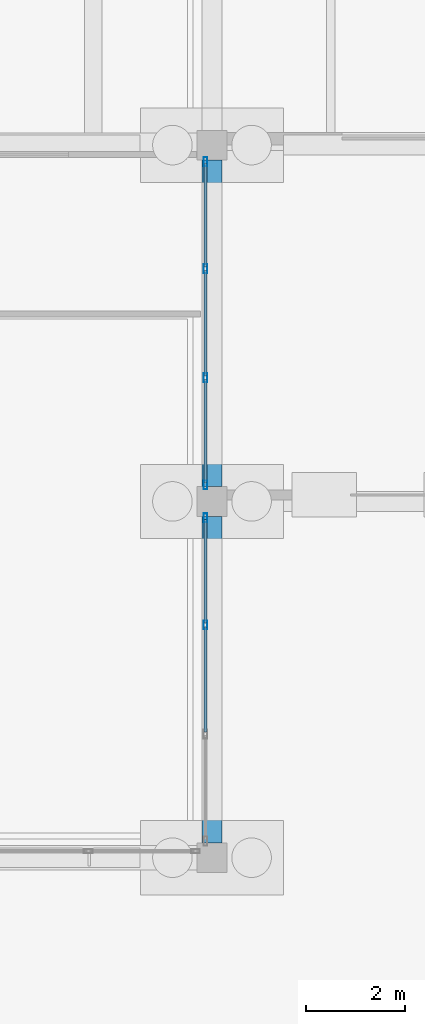
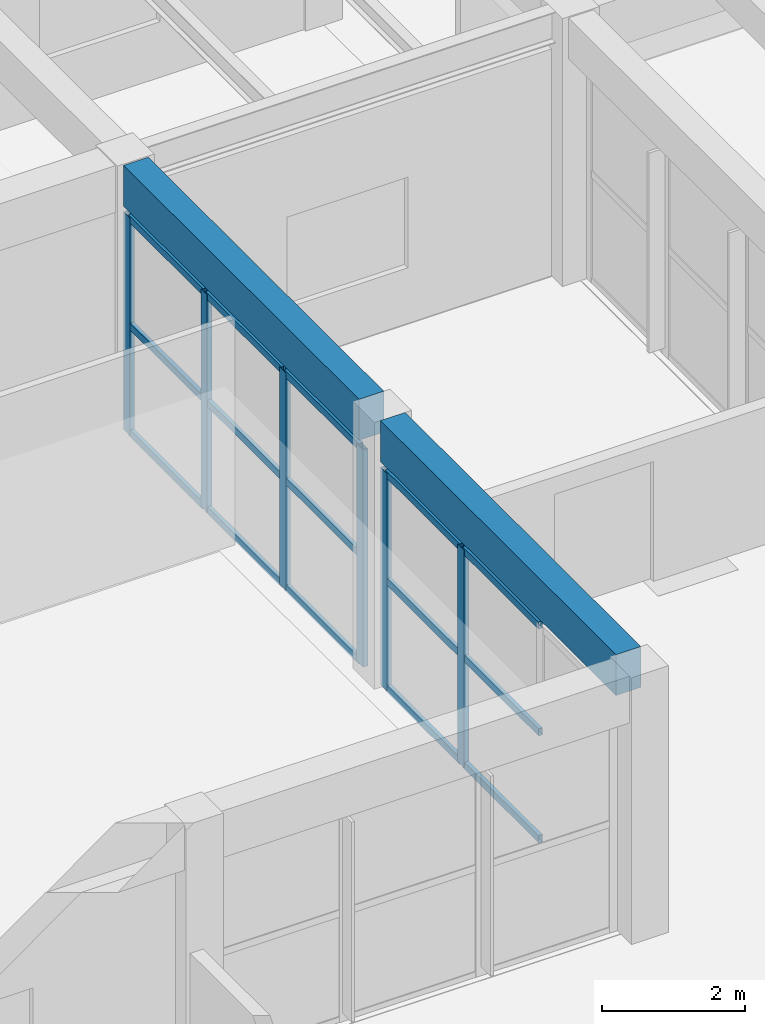
# One storey, part 43 of 155: 21 members, 2 beams, 2 elements without a shape of their own.
"""IFC4 building model written with IfcOpenShell, lengths in metres."""

from ifc_helpers import new_model, si_unit, direction, frame, origin, origin_2d, place, context, subcontext, project, spatial, rectangle, hollow_rectangle, extrude, material, material_profile, profile_set, type_object, element, aggregate, save


model = new_model("IFC4")

# Units and contexts
model_context = context("Model", 3, precision=1e-05, world=origin(), true_north=direction((0.0, 1.0)))
body_context = subcontext(model_context, "Body", "Model", "MODEL_VIEW")
ifc_project = project(units=[si_unit("LENGTHUNIT", "METRE"), si_unit("AREAUNIT", "SQUARE_METRE"), si_unit("VOLUMEUNIT", "CUBIC_METRE"), si_unit("PLANEANGLEUNIT", "RADIAN"), si_unit("MASSUNIT", "GRAM", prefix="KILO")], contexts=[model_context])

# Site, building, storey
site_placement = place(None, origin())
site = spatial("IfcSite", under=ifc_project, at=site_placement, CompositionType="ELEMENT")
building_placement = place(site_placement, origin())
building = spatial("IfcBuilding", under=site, at=building_placement, Name="Bramvelor Terrace Health Centre", CompositionType="ELEMENT")
storey_placement = place(building_placement, origin())
storey = spatial("IfcBuildingStorey", under=building, at=storey_placement, Name="L01", CompositionType="ELEMENT", Elevation=0.0)

# Beams
ifc_material_1 = material(Name="Concrete C40/50", Category="concrete")
ifc_material_profile_1 = material_profile(ifc_material_1, rectangle(XDim=0.39990234375, YDim=0.699951171875, at=origin_2d()), Name="RC 400x700")
ifc_profile_set_1 = profile_set([ifc_material_profile_1], Name="Concrete C40/50")
beam_type = type_object("IfcBeamType", Name="BM-RC-G700", PredefinedType="BEAM", material=ifc_profile_set_1)
beam_1_placement = place(storey_placement, frame((93.60009765625, 36.300048828125, 4.2099609375), z_axis=(0.0, 1.0, 0.0), x_axis=(-1.0, 0.0, 0.0)))
element("IfcBeam", 1, at=beam_1_placement, inside=storey, type_object=beam_type, Name="L01 Floor Girder", PredefinedType="BEAM", context=body_context, shape_type="SweptSolid", body=[
    extrude(rectangle(XDim=0.39990234375, YDim=0.699951171875, at=origin_2d()), origin(), (0.0, 0.0, 1.0), 6.599853515625),
])
beam_2_placement = place(storey_placement, frame((93.60009765625, 43.5, 4.2099609375), z_axis=(0.0, 1.0, 0.0), x_axis=(-1.0, 0.0, 0.0)))
element("IfcBeam", 2, at=beam_2_placement, inside=storey, type_object=beam_type, Name="L01 Floor Girder", PredefinedType="BEAM", context=body_context, shape_type="SweptSolid", body=[
    extrude(rectangle(XDim=0.39990234375, YDim=0.699951171875, at=origin_2d()), origin(), (0.0, 0.0, 1.0), 6.60009765625),
])

# Curtain wall, members
ifc_material_2 = material(Name="Anodized aluminium and double low-E glass", Category="aluminium")
curtain_wall_type = type_object("IfcCurtainWallType", Name="CW-SYS-02", PredefinedType="NOTDEFINED", material=ifc_material_2)
curtain_wall_1_placement = place(storey_placement, origin())
curtain_wall_1 = element("IfcCurtainWall", 3, at=curtain_wall_1_placement, inside=storey, type_object=curtain_wall_type, Name="L01 Unitized Curtain Wall 46", PredefinedType="NOTDEFINED")
ifc_material_3 = material(Name="Anodized aluminium 6063-T6", Category="aluminium")
ifc_material_profile_2 = material_profile(ifc_material_3, hollow_rectangle(XDim=0.074951171875, YDim=0.179931640625, WallThickness=0.00341796875, at=origin_2d()), Name="ALU-MUL 75x180x3.5")
ifc_profile_set_2 = profile_set([ifc_material_profile_2], Name="Anodized aluminium 6063-T6")
member_type_1 = type_object("IfcMemberType", Name="CW-MUL-65x180", PredefinedType="MULLION", material=ifc_profile_set_2)
member_1_placement = place(storey_placement, frame((93.469970703125, 50.0673828125, 0.0), z_axis=(0.0, 0.0, 1.0), x_axis=(1.0, 0.0, 0.0)))
member_1 = element("IfcMember", 4, at=member_1_placement, type_object=member_type_1, Name="CW-02 mullion 1", PredefinedType="MULLION", context=body_context, shape_type="SweptSolid", body=[
    extrude(hollow_rectangle(XDim=0.074951171875, YDim=0.179931640625, WallThickness=0.00341796875, at=origin_2d()), origin(), (0.0, 0.0, 1.0), 3.719970703125),
])
member_2_placement = place(storey_placement, frame((93.469970703125, 47.901611328125, 0.0), z_axis=(0.0, 0.0, 1.0), x_axis=(1.0, 0.0, 0.0)))
member_2 = element("IfcMember", 5, at=member_2_placement, type_object=member_type_1, Name="CW-02 mullion 2", PredefinedType="MULLION", context=body_context, shape_type="SweptSolid", body=[
    extrude(hollow_rectangle(XDim=0.074951171875, YDim=0.179931640625, WallThickness=0.00341796875, at=origin_2d()), origin(), (0.0, 0.0, 1.0), 3.719970703125),
])
member_3_placement = place(storey_placement, frame((93.469970703125, 45.6982421875, 0.0), z_axis=(0.0, 0.0, 1.0), x_axis=(1.0, 0.0, 0.0)))
member_3 = element("IfcMember", 6, at=member_3_placement, type_object=member_type_1, Name="CW-02 mullion 3", PredefinedType="MULLION", context=body_context, shape_type="SweptSolid", body=[
    extrude(hollow_rectangle(XDim=0.074951171875, YDim=0.179931640625, WallThickness=0.00341796875, at=origin_2d()), origin(), (0.0, 0.0, 1.0), 3.719970703125),
])
member_4_placement = place(storey_placement, frame((93.469970703125, 43.532470703125, 0.0), z_axis=(0.0, 0.0, 1.0), x_axis=(1.0, 0.0, 0.0)))
member_4 = element("IfcMember", 7, at=member_4_placement, type_object=member_type_1, Name="CW-02 mullion 4", PredefinedType="MULLION", context=body_context, shape_type="SweptSolid", body=[
    extrude(hollow_rectangle(XDim=0.074951171875, YDim=0.179931640625, WallThickness=0.00341796875, at=origin_2d()), origin(), (0.0, 0.0, 1.0), 3.719970703125),
])

curtain_wall_2_placement = place(storey_placement, origin())
curtain_wall_2 = element("IfcCurtainWall", 8, at=curtain_wall_2_placement, inside=storey, type_object=curtain_wall_type, Name="L01 Unitized Curtain Wall 47", PredefinedType="NOTDEFINED")
member_5_placement = place(storey_placement, frame((93.469970703125, 42.867431640625, 0.0), z_axis=(0.0, 0.0, 1.0), x_axis=(1.0, 0.0, 0.0)))
member_5 = element("IfcMember", 9, at=member_5_placement, type_object=member_type_1, Name="CW-02 mullion 1", PredefinedType="MULLION", context=body_context, shape_type="SweptSolid", body=[
    extrude(hollow_rectangle(XDim=0.074951171875, YDim=0.179931640625, WallThickness=0.00341796875, at=origin_2d()), origin(), (0.0, 0.0, 1.0), 3.719970703125),
])
member_6_placement = place(storey_placement, frame((93.469970703125, 40.70166015625, 0.0), z_axis=(0.0, 0.0, 1.0), x_axis=(1.0, 0.0, 0.0)))
member_6 = element("IfcMember", 10, at=member_6_placement, type_object=member_type_1, Name="CW-02 mullion 2", PredefinedType="MULLION", context=body_context, shape_type="SweptSolid", body=[
    extrude(hollow_rectangle(XDim=0.074951171875, YDim=0.179931640625, WallThickness=0.00341796875, at=origin_2d()), origin(), (0.0, 0.0, 1.0), 3.719970703125),
])

# Member
ifc_material_4 = material(Name="Anodized aluminium 6063-T6", Category="aluminium")
ifc_material_profile_3 = material_profile(ifc_material_4, hollow_rectangle(XDim=0.06494140625, YDim=0.1201171875, WallThickness=0.0029296875, at=origin_2d()), Name="ALU-TRN 65x120x3.0")
ifc_profile_set_3 = profile_set([ifc_material_profile_3], Name="Anodized aluminium 6063-T6")
member_type_2 = type_object("IfcMemberType", Name="CW-TRN-65x150", PredefinedType="USERDEFINED", material=ifc_profile_set_3)
member_7_placement = place(storey_placement, frame((93.469970703125, 50.030029296875, 0.032470703125), z_axis=(0.0, -1.0, 0.0), x_axis=(1.0, 0.0, 0.0)))
member_7 = element("IfcMember", 11, at=member_7_placement, type_object=member_type_2, Name="CW-02 transom 1.1", ObjectType="TRANSOM", PredefinedType="USERDEFINED", context=body_context, shape_type="SweptSolid", body=[
    extrude(hollow_rectangle(XDim=0.06494140625, YDim=0.1201171875, WallThickness=0.0029296875, at=origin_2d()), origin(), (0.0, 0.0, 1.0), 2.0908203125),
])

member_8_placement = place(storey_placement, frame((93.469970703125, 50.030029296875, 1.860107421875), z_axis=(0.0, -1.0, 0.0), x_axis=(1.0, 0.0, 0.0)))
member_8 = element("IfcMember", 12, at=member_8_placement, type_object=member_type_2, Name="CW-02 transom 1.2", ObjectType="TRANSOM", PredefinedType="USERDEFINED", context=body_context, shape_type="SweptSolid", body=[
    extrude(hollow_rectangle(XDim=0.06494140625, YDim=0.1201171875, WallThickness=0.0029296875, at=origin_2d()), origin(), (0.0, 0.0, 1.0), 2.0908203125),
])

member_9_placement = place(storey_placement, frame((93.469970703125, 50.030029296875, 3.6875), z_axis=(0.0, -1.0, 0.0), x_axis=(1.0, 0.0, 0.0)))
member_9 = element("IfcMember", 13, at=member_9_placement, type_object=member_type_2, Name="CW-02 transom 1.3", ObjectType="TRANSOM", PredefinedType="USERDEFINED", context=body_context, shape_type="SweptSolid", body=[
    extrude(hollow_rectangle(XDim=0.06494140625, YDim=0.1201171875, WallThickness=0.0029296875, at=origin_2d()), origin(), (0.0, 0.0, 1.0), 2.0908203125),
])

member_10_placement = place(storey_placement, frame((93.469970703125, 47.8642578125, 0.032470703125), z_axis=(0.0, -1.0, 0.0), x_axis=(1.0, 0.0, 0.0)))
member_10 = element("IfcMember", 14, at=member_10_placement, type_object=member_type_2, Name="CW-02 transom 2.1", ObjectType="TRANSOM", PredefinedType="USERDEFINED", context=body_context, shape_type="SweptSolid", body=[
    extrude(hollow_rectangle(XDim=0.06494140625, YDim=0.1201171875, WallThickness=0.0029296875, at=origin_2d()), origin(), (0.0, 0.0, 1.0), 2.12841796875),
])

member_11_placement = place(storey_placement, frame((93.469970703125, 47.8642578125, 1.860107421875), z_axis=(0.0, -1.0, 0.0), x_axis=(1.0, 0.0, 0.0)))
member_11 = element("IfcMember", 15, at=member_11_placement, type_object=member_type_2, Name="CW-02 transom 2.2", ObjectType="TRANSOM", PredefinedType="USERDEFINED", context=body_context, shape_type="SweptSolid", body=[
    extrude(hollow_rectangle(XDim=0.06494140625, YDim=0.1201171875, WallThickness=0.0029296875, at=origin_2d()), origin(), (0.0, 0.0, 1.0), 2.12841796875),
])

member_12_placement = place(storey_placement, frame((93.469970703125, 47.8642578125, 3.6875), z_axis=(0.0, -1.0, 0.0), x_axis=(1.0, 0.0, 0.0)))
member_12 = element("IfcMember", 16, at=member_12_placement, type_object=member_type_2, Name="CW-02 transom 2.3", ObjectType="TRANSOM", PredefinedType="USERDEFINED", context=body_context, shape_type="SweptSolid", body=[
    extrude(hollow_rectangle(XDim=0.06494140625, YDim=0.1201171875, WallThickness=0.0029296875, at=origin_2d()), origin(), (0.0, 0.0, 1.0), 2.12841796875),
])

member_13_placement = place(storey_placement, frame((93.469970703125, 45.660888671875, 0.032470703125), z_axis=(0.0, -1.0, 0.0), x_axis=(1.0, 0.0, 0.0)))
member_13 = element("IfcMember", 17, at=member_13_placement, type_object=member_type_2, Name="CW-02 transom 3.1", ObjectType="TRANSOM", PredefinedType="USERDEFINED", context=body_context, shape_type="SweptSolid", body=[
    extrude(hollow_rectangle(XDim=0.06494140625, YDim=0.1201171875, WallThickness=0.0029296875, at=origin_2d()), origin(), (0.0, 0.0, 1.0), 2.0908203125),
])

member_14_placement = place(storey_placement, frame((93.469970703125, 45.660888671875, 1.860107421875), z_axis=(0.0, -1.0, 0.0), x_axis=(1.0, 0.0, 0.0)))
member_14 = element("IfcMember", 18, at=member_14_placement, type_object=member_type_2, Name="CW-02 transom 3.2", ObjectType="TRANSOM", PredefinedType="USERDEFINED", context=body_context, shape_type="SweptSolid", body=[
    extrude(hollow_rectangle(XDim=0.06494140625, YDim=0.1201171875, WallThickness=0.0029296875, at=origin_2d()), origin(), (0.0, 0.0, 1.0), 2.0908203125),
])

member_15_placement = place(storey_placement, frame((93.469970703125, 45.660888671875, 3.6875), z_axis=(0.0, -1.0, 0.0), x_axis=(1.0, 0.0, 0.0)))
member_15 = element("IfcMember", 19, at=member_15_placement, type_object=member_type_2, Name="CW-02 transom 3.3", ObjectType="TRANSOM", PredefinedType="USERDEFINED", context=body_context, shape_type="SweptSolid", body=[
    extrude(hollow_rectangle(XDim=0.06494140625, YDim=0.1201171875, WallThickness=0.0029296875, at=origin_2d()), origin(), (0.0, 0.0, 1.0), 2.0908203125),
])

aggregate(curtain_wall_1, [member_1, member_2, member_3, member_4, member_7, member_8, member_9, member_10, member_11, member_12, member_13, member_14, member_15])

member_16_placement = place(storey_placement, frame((93.469970703125, 42.830078125, 0.032470703125), z_axis=(0.0, -1.0, 0.0), x_axis=(1.0, 0.0, 0.0)))
member_16 = element("IfcMember", 20, at=member_16_placement, type_object=member_type_2, Name="CW-02 transom 1.1", ObjectType="TRANSOM", PredefinedType="USERDEFINED", context=body_context, shape_type="SweptSolid", body=[
    extrude(hollow_rectangle(XDim=0.06494140625, YDim=0.1201171875, WallThickness=0.0029296875, at=origin_2d()), origin(), (0.0, 0.0, 1.0), 2.0908203125),
])

member_17_placement = place(storey_placement, frame((93.469970703125, 42.830078125, 1.860107421875), z_axis=(0.0, -1.0, 0.0), x_axis=(1.0, 0.0, 0.0)))
member_17 = element("IfcMember", 21, at=member_17_placement, type_object=member_type_2, Name="CW-02 transom 1.2", ObjectType="TRANSOM", PredefinedType="USERDEFINED", context=body_context, shape_type="SweptSolid", body=[
    extrude(hollow_rectangle(XDim=0.06494140625, YDim=0.1201171875, WallThickness=0.0029296875, at=origin_2d()), origin(), (0.0, 0.0, 1.0), 2.0908203125),
])

member_18_placement = place(storey_placement, frame((93.469970703125, 42.830078125, 3.6875), z_axis=(0.0, -1.0, 0.0), x_axis=(1.0, 0.0, 0.0)))
member_18 = element("IfcMember", 22, at=member_18_placement, type_object=member_type_2, Name="CW-02 transom 1.3", ObjectType="TRANSOM", PredefinedType="USERDEFINED", context=body_context, shape_type="SweptSolid", body=[
    extrude(hollow_rectangle(XDim=0.06494140625, YDim=0.1201171875, WallThickness=0.0029296875, at=origin_2d()), origin(), (0.0, 0.0, 1.0), 2.0908203125),
])

member_19_placement = place(storey_placement, frame((93.469970703125, 40.6640625, 0.032470703125), z_axis=(0.0, -1.0, 0.0), x_axis=(1.0, 0.0, 0.0)))
member_19 = element("IfcMember", 23, at=member_19_placement, type_object=member_type_2, Name="CW-02 transom 2.1", ObjectType="TRANSOM", PredefinedType="USERDEFINED", context=body_context, shape_type="SweptSolid", body=[
    extrude(hollow_rectangle(XDim=0.06494140625, YDim=0.1201171875, WallThickness=0.0029296875, at=origin_2d()), origin(), (0.0, 0.0, 1.0), 2.128173828125),
])

member_20_placement = place(storey_placement, frame((93.469970703125, 40.6640625, 1.860107421875), z_axis=(0.0, -1.0, 0.0), x_axis=(1.0, 0.0, 0.0)))
member_20 = element("IfcMember", 24, at=member_20_placement, type_object=member_type_2, Name="CW-02 transom 2.2", ObjectType="TRANSOM", PredefinedType="USERDEFINED", context=body_context, shape_type="SweptSolid", body=[
    extrude(hollow_rectangle(XDim=0.06494140625, YDim=0.1201171875, WallThickness=0.0029296875, at=origin_2d()), origin(), (0.0, 0.0, 1.0), 2.128173828125),
])

member_21_placement = place(storey_placement, frame((93.469970703125, 40.6640625, 3.6875), z_axis=(0.0, -1.0, 0.0), x_axis=(1.0, 0.0, 0.0)))
member_21 = element("IfcMember", 25, at=member_21_placement, type_object=member_type_2, Name="CW-02 transom 2.3", ObjectType="TRANSOM", PredefinedType="USERDEFINED", context=body_context, shape_type="SweptSolid", body=[
    extrude(hollow_rectangle(XDim=0.06494140625, YDim=0.1201171875, WallThickness=0.0029296875, at=origin_2d()), origin(), (0.0, 0.0, 1.0), 2.128173828125),
])

aggregate(curtain_wall_2, [member_5, member_6, member_16, member_17, member_18, member_19, member_20, member_21])

save(model, "model.ifc")
